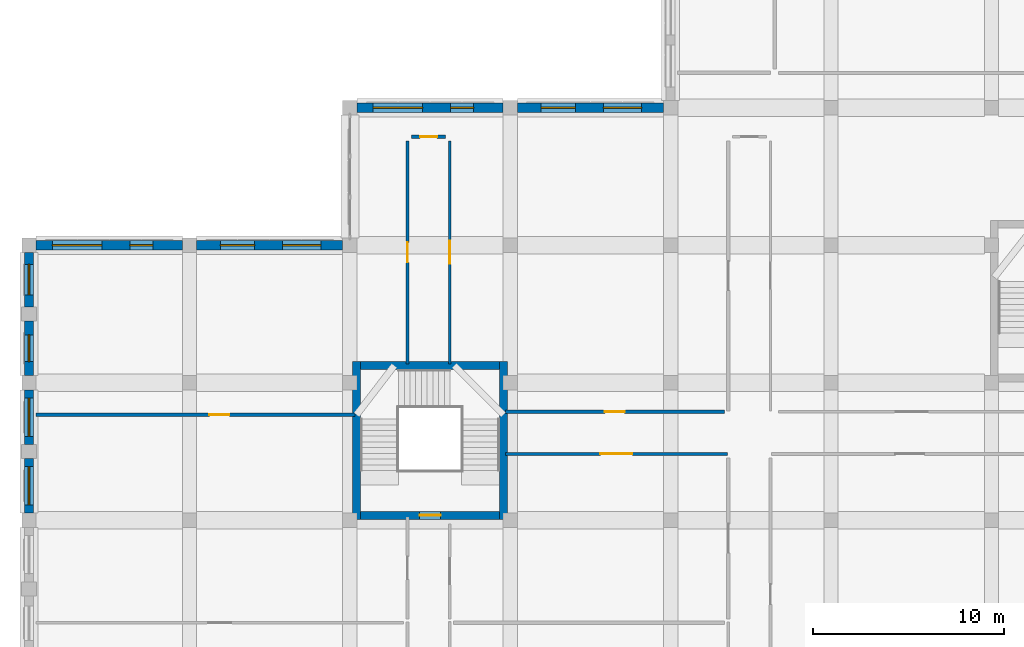
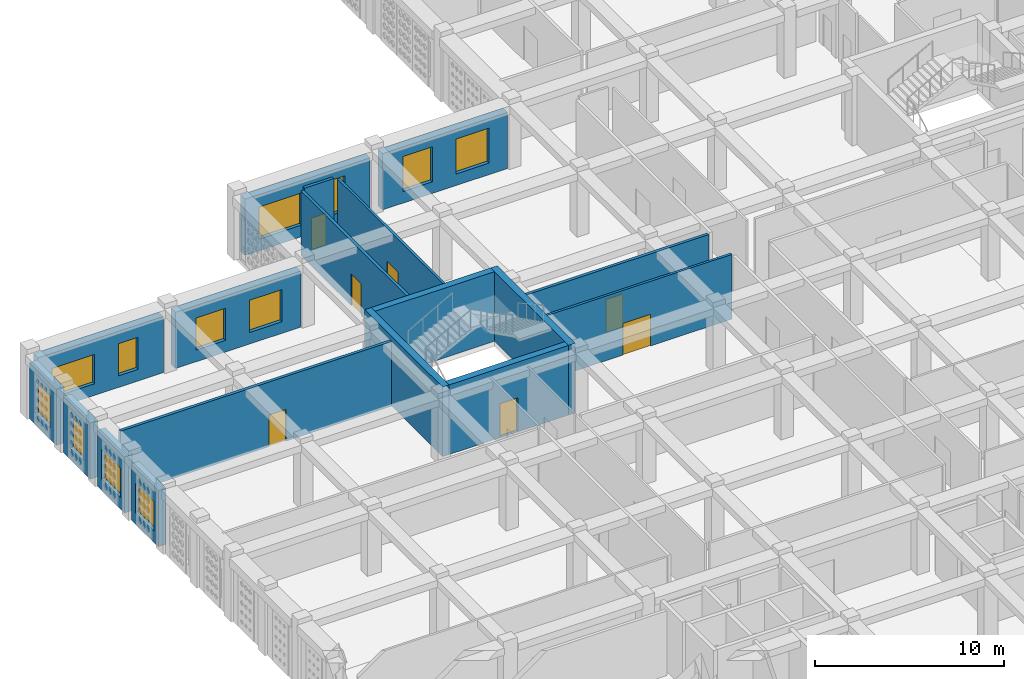
# One storey, part 80 of 121: 18 walls, 12 windows, 7 doors, 19 openings.
"""IFC4 building model written with IfcOpenShell, lengths in metres."""

from ifc_helpers import new_model, si_unit, derived_unit, direction, frame, frame_2d, origin, place, context, subcontext, project, spatial, rectangle, extrude, material, layer, layer_set, type_object, element, fill, save


model = new_model("IFC4")

# Units and contexts
model_context = context("Model", 3, precision=1e-05, world=origin(), true_north=direction((0.0, 1.0)))
body_context = subcontext(model_context, "Body", "Model", "MODEL_VIEW")
ifc_project = project(units=[si_unit("LENGTHUNIT", "METRE"), si_unit("AREAUNIT", "SQUARE_METRE"), si_unit("VOLUMEUNIT", "CUBIC_METRE"), si_unit("PLANEANGLEUNIT", "RADIAN"), si_unit("MASSUNIT", "GRAM", prefix="KILO"), derived_unit("THERMALTRANSMITTANCEUNIT", [(si_unit("POWERUNIT", "WATT"), 1), (si_unit("LENGTHUNIT", "METRE"), -2), (si_unit("THERMODYNAMICTEMPERATUREUNIT", "KELVIN"), -1)])], contexts=[model_context])

# Site, building, storey
site_placement = place(None, origin())
site = spatial("IfcSite", under=ifc_project, at=site_placement, CompositionType="ELEMENT")
building_placement = place(site_placement, origin())
building = spatial("IfcBuilding", under=site, at=building_placement, Name="Veybourne Emporium", CompositionType="ELEMENT")
storey_placement = place(building_placement, frame((0.0, 0.0, 5.39990234375)))
storey = spatial("IfcBuildingStorey", under=building, at=storey_placement, Name="L01", CompositionType="ELEMENT", Elevation=5.39990234375)

# Wall, opening, window
ifc_material_1 = material(Name="Portland Limestone Ashlar", Category="masonry")
ifc_layer_1 = layer(ifc_material_1, 0.47998046875)
ifc_layer_set_1 = layer_set([ifc_layer_1], Name="Portland Limestone Ashlar")
wall_type_1 = type_object("IfcWallType", Name="ExtWall_EW-01", PredefinedType="SOLIDWALL", material=ifc_layer_set_1)
wall_1_placement = place(storey_placement, frame((0.0, 65.175048828125, 0.0), z_axis=(0.0, 0.0, 1.0), x_axis=(0.0, 1.0, 0.0)))
wall_1 = element("IfcWall", 1, at=wall_1_placement, inside=storey, type_object=wall_type_1, Name="L01 Portland stone external wall 009A", PredefinedType="SOLIDWALL", context=body_context, shape_type="SweptSolid", body=[
    extrude(rectangle(XDim=2.85498046875, YDim=0.47998046875, at=frame_2d((1.427490234375, 0.0))), origin(), (0.0, 0.0, 1.0), 3.630126953125),
])
opening_1_placement = place(wall_1_placement, frame((0.427490234375, 0.0, 0.75)))
opening_1 = element("IfcOpeningElement", 2, at=opening_1_placement, cuts=wall_1, Name="Opening W-06", PredefinedType="OPENING", context=body_context, shape_type="SweptSolid", body=[
    extrude(rectangle(XDim=2.0, YDim=1.89990234375, at=frame_2d((1.0, 0.949951171875))), frame((0.0, 0.260009765625, 0.0), z_axis=(0.0, -1.0, 0.0), x_axis=(1.0, 0.0, 0.0)), (0.0, 0.0, 1.0), 0.52001953125),
])
ifc_material_2 = material(Name="Low-E Triple Glazing", Category="glass")
window_type_1 = type_object("IfcWindowType", Name="Win_W-06", PartitioningType="TRIPLE_PANEL_VERTICAL", PredefinedType="WINDOW", material=ifc_material_2)
window_1_placement = place(opening_1_placement, origin())
window_1 = element("IfcWindow", 3, at=window_1_placement, inside=storey, type_object=window_type_1, Name="L01 tripartite bronze casement window W-06 (9A)", OverallHeight=1.89990234375, OverallWidth=2.0, PartitioningType="TRIPLE_PANEL_VERTICAL", PredefinedType="WINDOW", context=body_context, shape_type="SweptSolid", body=[
    extrude(rectangle(XDim=2.0, YDim=1.89990234375, at=frame_2d((1.0, 0.949951171875))), frame((0.0, 0.030029296875, 0.0), z_axis=(0.0, -1.0, 0.0), x_axis=(1.0, 0.0, 0.0)), (0.0, 0.0, 1.0), 0.06005859375),
])
fill(opening_1, window_1)

wall_2_placement = place(storey_placement, frame((0.0, 68.77001953125, 0.0), z_axis=(0.0, 0.0, 1.0), x_axis=(0.0, 1.0, 0.0)))
wall_2 = element("IfcWall", 4, at=wall_2_placement, inside=storey, type_object=wall_type_1, Name="L01 Portland stone external wall 009B", PredefinedType="SOLIDWALL", context=body_context, shape_type="SweptSolid", body=[
    extrude(rectangle(XDim=2.85498046875, YDim=0.47998046875, at=frame_2d((1.427490234375, 0.0))), origin(), (0.0, 0.0, 1.0), 3.630126953125),
])
opening_2_placement = place(wall_2_placement, frame((0.427490234375, 0.0, 0.75)))
opening_2 = element("IfcOpeningElement", 5, at=opening_2_placement, cuts=wall_2, Name="Opening W-07", PredefinedType="OPENING", context=body_context, shape_type="SweptSolid", body=[
    extrude(rectangle(XDim=2.0, YDim=1.89990234375, at=frame_2d((1.0, 0.949951171875))), frame((0.0, 0.260009765625, 0.0), z_axis=(0.0, -1.0, 0.0), x_axis=(1.0, 0.0, 0.0)), (0.0, 0.0, 1.0), 0.52001953125),
])
window_type_2 = type_object("IfcWindowType", Name="Win_W-07", PartitioningType="TRIPLE_PANEL_VERTICAL", PredefinedType="WINDOW", material=ifc_material_2)
window_2_placement = place(opening_2_placement, origin())
window_2 = element("IfcWindow", 6, at=window_2_placement, inside=storey, type_object=window_type_2, Name="L01 tripartite bronze casement window W-07 (9B)", OverallHeight=1.89990234375, OverallWidth=2.0, PartitioningType="TRIPLE_PANEL_VERTICAL", PredefinedType="WINDOW", context=body_context, shape_type="SweptSolid", body=[
    extrude(rectangle(XDim=2.0, YDim=1.89990234375, at=frame_2d((1.0, 0.949951171875))), frame((0.0, 0.030029296875, 0.0), z_axis=(0.0, -1.0, 0.0), x_axis=(1.0, 0.0, 0.0)), (0.0, 0.0, 1.0), 0.06005859375),
])
fill(opening_2, window_2)

# Wall, openings, windows
wall_3_placement = place(storey_placement, frame((0.375, 79.199951171875, 0.0), z_axis=(0.0, 0.0, 1.0), x_axis=(1.0, 0.0, 0.0)))
wall_3 = element("IfcWall", 7, at=wall_3_placement, inside=storey, type_object=wall_type_1, Name="L01 Portland stone external wall 010", PredefinedType="SOLIDWALL", context=body_context, shape_type="SweptSolid", body=[
    extrude(rectangle(XDim=7.64990234375, YDim=0.47998046875, at=frame_2d((3.824951171875, 0.0))), origin(), (0.0, 0.0, 1.0), 3.630126953125),
])
opening_3_placement = place(wall_3_placement, frame((0.842041015625, 0.0, 0.75)))
opening_3 = element("IfcOpeningElement", 8, at=opening_3_placement, cuts=wall_3, Name="Opening W-08", PredefinedType="OPENING", context=body_context, shape_type="SweptSolid", body=[
    extrude(rectangle(XDim=2.60009765625, YDim=1.89990234375, at=frame_2d((1.300048828125, 0.949951171875))), frame((0.0, 0.260009765625, 0.0), z_axis=(0.0, -1.0, 0.0), x_axis=(1.0, 0.0, 0.0)), (0.0, 0.0, 1.0), 0.52001953125),
])
opening_4_placement = place(wall_3_placement, frame((4.907958984375, 0.0, 0.75)))
opening_4 = element("IfcOpeningElement", 9, at=opening_4_placement, cuts=wall_3, Name="Opening W-09", PredefinedType="OPENING", context=body_context, shape_type="SweptSolid", body=[
    extrude(rectangle(XDim=1.199951171875, YDim=2.080078125, at=frame_2d((0.60009765625, 1.0400390625))), frame((0.0, 0.260009765625, 0.0), z_axis=(0.0, -1.0, 0.0), x_axis=(1.0, 0.0, 0.0)), (0.0, 0.0, 1.0), 0.52001953125),
])
window_type_3 = type_object("IfcWindowType", Name="Win_W-08", PartitioningType="TRIPLE_PANEL_VERTICAL", PredefinedType="WINDOW", material=ifc_material_2)
window_3_placement = place(opening_3_placement, origin())
window_3 = element("IfcWindow", 10, at=window_3_placement, inside=storey, type_object=window_type_3, Name="L01 tripartite bronze casement window W-08 (10.1)", OverallHeight=1.89990234375, OverallWidth=2.60009765625, PartitioningType="TRIPLE_PANEL_VERTICAL", PredefinedType="WINDOW", context=body_context, shape_type="SweptSolid", body=[
    extrude(rectangle(XDim=2.60009765625, YDim=1.89990234375, at=frame_2d((1.300048828125, 0.949951171875))), frame((0.0, 0.030029296875, 0.0), z_axis=(0.0, -1.0, 0.0), x_axis=(1.0, 0.0, 0.0)), (0.0, 0.0, 1.0), 0.06005859375),
])
fill(opening_3, window_3)
window_type_4 = type_object("IfcWindowType", Name="Win_W-09", PartitioningType="SINGLE_PANEL", PredefinedType="WINDOW", material=ifc_material_2)
window_4_placement = place(opening_4_placement, origin())
window_4 = element("IfcWindow", 11, at=window_4_placement, inside=storey, type_object=window_type_4, Name="L01 tripartite bronze casement window W-09 (10.2)", OverallHeight=2.080078125, OverallWidth=1.199951171875, PartitioningType="SINGLE_PANEL", PredefinedType="WINDOW", context=body_context, shape_type="SweptSolid", body=[
    extrude(rectangle(XDim=1.199951171875, YDim=2.080078125, at=frame_2d((0.60009765625, 1.0400390625))), frame((0.0, 0.030029296875, 0.0), z_axis=(0.0, -1.0, 0.0), x_axis=(1.0, 0.0, 0.0)), (0.0, 0.0, 1.0), 0.06005859375),
])
fill(opening_4, window_4)

# Wall, opening, window
wall_4_placement = place(storey_placement, frame((0.0, 72.375, 0.0), z_axis=(0.0, 0.0, 1.0), x_axis=(0.0, 1.0, 0.0)))
wall_4 = element("IfcWall", 12, at=wall_4_placement, inside=storey, type_object=wall_type_1, Name="L01 Portland stone external wall 011A", PredefinedType="SOLIDWALL", context=body_context, shape_type="SweptSolid", body=[
    extrude(rectangle(XDim=2.85498046875, YDim=0.47998046875, at=frame_2d((1.427490234375, 0.0))), origin(), (0.0, 0.0, 1.0), 3.630126953125),
])
opening_5_placement = place(wall_4_placement, frame((0.7275390625, 0.0, 0.75)))
opening_5 = element("IfcOpeningElement", 13, at=opening_5_placement, cuts=wall_4, Name="Opening W-10", PredefinedType="OPENING", context=body_context, shape_type="SweptSolid", body=[
    extrude(rectangle(XDim=1.39990234375, YDim=2.080078125, at=frame_2d((0.699951171875, 1.0400390625))), frame((0.0, 0.260009765625, 0.0), z_axis=(0.0, -1.0, 0.0), x_axis=(1.0, 0.0, 0.0)), (0.0, 0.0, 1.0), 0.52001953125),
])
window_type_5 = type_object("IfcWindowType", Name="Win_W-10", PartitioningType="DOUBLE_PANEL_VERTICAL", PredefinedType="WINDOW", material=ifc_material_2)
window_5_placement = place(opening_5_placement, origin())
window_5 = element("IfcWindow", 14, at=window_5_placement, inside=storey, type_object=window_type_5, Name="L01 tripartite bronze casement window W-10 (11A)", OverallHeight=2.080078125, OverallWidth=1.39990234375, PartitioningType="DOUBLE_PANEL_VERTICAL", PredefinedType="WINDOW", context=body_context, shape_type="SweptSolid", body=[
    extrude(rectangle(XDim=1.39990234375, YDim=2.080078125, at=frame_2d((0.699951171875, 1.0400390625))), frame((0.0, 0.030029296875, 0.0), z_axis=(0.0, -1.0, 0.0), x_axis=(1.0, 0.0, 0.0)), (0.0, 0.0, 1.0), 0.06005859375),
])
fill(opening_5, window_5)

wall_5_placement = place(storey_placement, frame((0.0, 75.969970703125, 0.0), z_axis=(0.0, 0.0, 1.0), x_axis=(0.0, 1.0, 0.0)))
wall_5 = element("IfcWall", 15, at=wall_5_placement, inside=storey, type_object=wall_type_1, Name="L01 Portland stone external wall 011B", PredefinedType="SOLIDWALL", context=body_context, shape_type="SweptSolid", body=[
    extrude(rectangle(XDim=2.85498046875, YDim=0.47998046875, at=frame_2d((1.427490234375, 0.0))), origin(), (0.0, 0.0, 1.0), 3.630126953125),
])
opening_6_placement = place(wall_5_placement, frame((0.62744140625, 0.0, 0.75)))
opening_6 = element("IfcOpeningElement", 16, at=opening_6_placement, cuts=wall_5, Name="Opening W-11", PredefinedType="OPENING", context=body_context, shape_type="SweptSolid", body=[
    extrude(rectangle(XDim=1.60009765625, YDim=2.080078125, at=frame_2d((0.800048828125, 1.0400390625))), frame((0.0, 0.260009765625, 0.0), z_axis=(0.0, -1.0, 0.0), x_axis=(1.0, 0.0, 0.0)), (0.0, 0.0, 1.0), 0.52001953125),
])
window_type_6 = type_object("IfcWindowType", Name="Win_W-11", PartitioningType="DOUBLE_PANEL_VERTICAL", PredefinedType="WINDOW", material=ifc_material_2)
window_6_placement = place(opening_6_placement, origin())
window_6 = element("IfcWindow", 17, at=window_6_placement, inside=storey, type_object=window_type_6, Name="L01 tripartite bronze casement window W-11 (11B)", OverallHeight=2.080078125, OverallWidth=1.60009765625, PartitioningType="DOUBLE_PANEL_VERTICAL", PredefinedType="WINDOW", context=body_context, shape_type="SweptSolid", body=[
    extrude(rectangle(XDim=1.60009765625, YDim=2.080078125, at=frame_2d((0.800048828125, 1.0400390625))), frame((0.0, 0.030029296875, 0.0), z_axis=(0.0, -1.0, 0.0), x_axis=(1.0, 0.0, 0.0)), (0.0, 0.0, 1.0), 0.06005859375),
])
fill(opening_6, window_6)

# Wall, openings, windows
wall_6_placement = place(storey_placement, frame((8.77490234375, 79.199951171875, 0.0), z_axis=(0.0, 0.0, 1.0), x_axis=(1.0, 0.0, 0.0)))
wall_6 = element("IfcWall", 18, at=wall_6_placement, inside=storey, type_object=wall_type_1, Name="L01 Portland stone external wall 013", PredefinedType="SOLIDWALL", context=body_context, shape_type="SweptSolid", body=[
    extrude(rectangle(XDim=7.650146484375, YDim=0.47998046875, at=frame_2d((3.8251953125, 0.0))), origin(), (0.0, 0.0, 1.0), 3.630126953125),
])
opening_7_placement = place(wall_6_placement, frame((1.241943359375, 0.0, 0.75)))
opening_7 = element("IfcOpeningElement", 19, at=opening_7_placement, cuts=wall_6, Name="Opening W-12", PredefinedType="OPENING", context=body_context, shape_type="SweptSolid", body=[
    extrude(rectangle(XDim=1.800048828125, YDim=2.080078125, at=frame_2d((0.89990234375, 1.0400390625))), frame((0.0, 0.260009765625, 0.0), z_axis=(0.0, -1.0, 0.0), x_axis=(1.0, 0.0, 0.0)), (0.0, 0.0, 1.0), 0.52001953125),
])
opening_8_placement = place(wall_6_placement, frame((4.508056640625, 0.0, 0.75)))
opening_8 = element("IfcOpeningElement", 20, at=opening_8_placement, cuts=wall_6, Name="Opening W-13", PredefinedType="OPENING", context=body_context, shape_type="SweptSolid", body=[
    extrude(rectangle(XDim=2.0, YDim=2.080078125, at=frame_2d((1.0, 1.0400390625))), frame((0.0, 0.260009765625, 0.0), z_axis=(0.0, -1.0, 0.0), x_axis=(1.0, 0.0, 0.0)), (0.0, 0.0, 1.0), 0.52001953125),
])
window_type_7 = type_object("IfcWindowType", Name="Win_W-12", PartitioningType="DOUBLE_PANEL_VERTICAL", PredefinedType="WINDOW", material=ifc_material_2)
window_7_placement = place(opening_7_placement, origin())
window_7 = element("IfcWindow", 21, at=window_7_placement, inside=storey, type_object=window_type_7, Name="L01 tripartite bronze casement window W-12 (13.1)", OverallHeight=2.080078125, OverallWidth=1.800048828125, PartitioningType="DOUBLE_PANEL_VERTICAL", PredefinedType="WINDOW", context=body_context, shape_type="SweptSolid", body=[
    extrude(rectangle(XDim=1.800048828125, YDim=2.080078125, at=frame_2d((0.89990234375, 1.0400390625))), frame((0.0, 0.030029296875, 0.0), z_axis=(0.0, -1.0, 0.0), x_axis=(1.0, 0.0, 0.0)), (0.0, 0.0, 1.0), 0.06005859375),
])
fill(opening_7, window_7)
window_type_8 = type_object("IfcWindowType", Name="Win_W-13", PartitioningType="TRIPLE_PANEL_VERTICAL", PredefinedType="WINDOW", material=ifc_material_2)
window_8_placement = place(opening_8_placement, origin())
window_8 = element("IfcWindow", 22, at=window_8_placement, inside=storey, type_object=window_type_8, Name="L01 tripartite bronze casement window W-13 (13.2)", OverallHeight=2.080078125, OverallWidth=2.0, PartitioningType="TRIPLE_PANEL_VERTICAL", PredefinedType="WINDOW", context=body_context, shape_type="SweptSolid", body=[
    extrude(rectangle(XDim=2.0, YDim=2.080078125, at=frame_2d((1.0, 1.0400390625))), frame((0.0, 0.030029296875, 0.0), z_axis=(0.0, -1.0, 0.0), x_axis=(1.0, 0.0, 0.0)), (0.0, 0.0, 1.0), 0.06005859375),
])
fill(opening_8, window_8)

wall_7_placement = place(storey_placement, frame((17.175048828125, 86.39990234375, 0.0), z_axis=(0.0, 0.0, 1.0), x_axis=(1.0, 0.0, 0.0)))
wall_7 = element("IfcWall", 23, at=wall_7_placement, inside=storey, type_object=wall_type_1, Name="L01 Portland stone external wall 017", PredefinedType="SOLIDWALL", context=body_context, shape_type="SweptSolid", body=[
    extrude(rectangle(XDim=7.64990234375, YDim=0.47998046875, at=frame_2d((3.824951171875, 0.0))), origin(), (0.0, 0.0, 1.0), 3.630126953125),
])
opening_9_placement = place(wall_7_placement, frame((0.842041015625, 0.0, 0.75)))
opening_9 = element("IfcOpeningElement", 24, at=opening_9_placement, cuts=wall_7, Name="Opening W-16", PredefinedType="OPENING", context=body_context, shape_type="SweptSolid", body=[
    extrude(rectangle(XDim=2.60009765625, YDim=2.080078125, at=frame_2d((1.300048828125, 1.0400390625))), frame((0.0, 0.260009765625, 0.0), z_axis=(0.0, -1.0, 0.0), x_axis=(1.0, 0.0, 0.0)), (0.0, 0.0, 1.0), 0.52001953125),
])
opening_10_placement = place(wall_7_placement, frame((4.907958984375, 0.0, 0.75)))
opening_10 = element("IfcOpeningElement", 25, at=opening_10_placement, cuts=wall_7, Name="Opening W-17", PredefinedType="OPENING", context=body_context, shape_type="SweptSolid", body=[
    extrude(rectangle(XDim=1.199951171875, YDim=2.260009765625, at=frame_2d((0.60009765625, 1.1298828125))), frame((0.0, 0.260009765625, 0.0), z_axis=(0.0, -1.0, 0.0), x_axis=(1.0, 0.0, 0.0)), (0.0, 0.0, 1.0), 0.52001953125),
])
window_type_9 = type_object("IfcWindowType", Name="Win_W-16", PartitioningType="TRIPLE_PANEL_VERTICAL", PredefinedType="WINDOW", material=ifc_material_2)
window_9_placement = place(opening_9_placement, origin())
window_9 = element("IfcWindow", 26, at=window_9_placement, inside=storey, type_object=window_type_9, Name="L01 tripartite bronze casement window W-16 (17.1)", OverallHeight=2.080078125, OverallWidth=2.60009765625, PartitioningType="TRIPLE_PANEL_VERTICAL", PredefinedType="WINDOW", context=body_context, shape_type="SweptSolid", body=[
    extrude(rectangle(XDim=2.60009765625, YDim=2.080078125, at=frame_2d((1.300048828125, 1.0400390625))), frame((0.0, 0.030029296875, 0.0), z_axis=(0.0, -1.0, 0.0), x_axis=(1.0, 0.0, 0.0)), (0.0, 0.0, 1.0), 0.06005859375),
])
fill(opening_9, window_9)
window_type_10 = type_object("IfcWindowType", Name="Win_W-17", PartitioningType="SINGLE_PANEL", PredefinedType="WINDOW", material=ifc_material_2)
window_10_placement = place(opening_10_placement, origin())
window_10 = element("IfcWindow", 27, at=window_10_placement, inside=storey, type_object=window_type_10, Name="L01 tripartite bronze casement window W-17 (17.2)", OverallHeight=2.260009765625, OverallWidth=1.199951171875, PartitioningType="SINGLE_PANEL", PredefinedType="WINDOW", context=body_context, shape_type="SweptSolid", body=[
    extrude(rectangle(XDim=1.199951171875, YDim=2.260009765625, at=frame_2d((0.60009765625, 1.1298828125))), frame((0.0, 0.030029296875, 0.0), z_axis=(0.0, -1.0, 0.0), x_axis=(1.0, 0.0, 0.0)), (0.0, 0.0, 1.0), 0.06005859375),
])
fill(opening_10, window_10)

wall_8_placement = place(storey_placement, frame((25.574951171875, 86.39990234375, 0.0), z_axis=(0.0, 0.0, 1.0), x_axis=(1.0, 0.0, 0.0)))
wall_8 = element("IfcWall", 28, at=wall_8_placement, inside=storey, type_object=wall_type_1, Name="L01 Portland stone external wall 020", PredefinedType="SOLIDWALL", context=body_context, shape_type="SweptSolid", body=[
    extrude(rectangle(XDim=7.650146484375, YDim=0.47998046875, at=frame_2d((3.8251953125, 0.0))), origin(), (0.0, 0.0, 1.0), 3.630126953125),
])
opening_11_placement = place(wall_8_placement, frame((1.241943359375, 0.0, 0.75)))
opening_11 = element("IfcOpeningElement", 29, at=opening_11_placement, cuts=wall_8, Name="Opening W-20", PredefinedType="OPENING", context=body_context, shape_type="SweptSolid", body=[
    extrude(rectangle(XDim=1.800048828125, YDim=2.260009765625, at=frame_2d((0.89990234375, 1.1298828125))), frame((0.0, 0.260009765625, 0.0), z_axis=(0.0, -1.0, 0.0), x_axis=(1.0, 0.0, 0.0)), (0.0, 0.0, 1.0), 0.52001953125),
])
opening_12_placement = place(wall_8_placement, frame((4.508056640625, 0.0, 0.75)))
opening_12 = element("IfcOpeningElement", 30, at=opening_12_placement, cuts=wall_8, Name="Opening W-21", PredefinedType="OPENING", context=body_context, shape_type="SweptSolid", body=[
    extrude(rectangle(XDim=2.0, YDim=2.260009765625, at=frame_2d((1.0, 1.1298828125))), frame((0.0, 0.260009765625, 0.0), z_axis=(0.0, -1.0, 0.0), x_axis=(1.0, 0.0, 0.0)), (0.0, 0.0, 1.0), 0.52001953125),
])
window_type_11 = type_object("IfcWindowType", Name="Win_W-20", PartitioningType="DOUBLE_PANEL_VERTICAL", PredefinedType="WINDOW", material=ifc_material_2)
window_11_placement = place(opening_11_placement, origin())
window_11 = element("IfcWindow", 31, at=window_11_placement, inside=storey, type_object=window_type_11, Name="L01 tripartite bronze casement window W-20 (20.1)", OverallHeight=2.260009765625, OverallWidth=1.800048828125, PartitioningType="DOUBLE_PANEL_VERTICAL", PredefinedType="WINDOW", context=body_context, shape_type="SweptSolid", body=[
    extrude(rectangle(XDim=1.800048828125, YDim=2.260009765625, at=frame_2d((0.89990234375, 1.1298828125))), frame((0.0, 0.030029296875, 0.0), z_axis=(0.0, -1.0, 0.0), x_axis=(1.0, 0.0, 0.0)), (0.0, 0.0, 1.0), 0.06005859375),
])
fill(opening_11, window_11)
window_type_12 = type_object("IfcWindowType", Name="Win_W-21", PartitioningType="TRIPLE_PANEL_VERTICAL", PredefinedType="WINDOW", material=ifc_material_2)
window_12_placement = place(opening_12_placement, origin())
window_12 = element("IfcWindow", 32, at=window_12_placement, inside=storey, type_object=window_type_12, Name="L01 tripartite bronze casement window W-21 (20.2)", OverallHeight=2.260009765625, OverallWidth=2.0, PartitioningType="TRIPLE_PANEL_VERTICAL", PredefinedType="WINDOW", context=body_context, shape_type="SweptSolid", body=[
    extrude(rectangle(XDim=2.0, YDim=2.260009765625, at=frame_2d((1.0, 1.1298828125))), frame((0.0, 0.030029296875, 0.0), z_axis=(0.0, -1.0, 0.0), x_axis=(1.0, 0.0, 0.0)), (0.0, 0.0, 1.0), 0.06005859375),
])
fill(opening_12, window_12)

# Wall, opening, door
ifc_material_3 = material(Name="Concrete C40/50", Category="concrete")
ifc_layer_2 = layer(ifc_material_3, 0.39990234375)
ifc_layer_set_2 = layer_set([ifc_layer_2], Name="Concrete C40/50")
wall_type_2 = type_object("IfcWallType", Name="IntWall_CW-01", PredefinedType="SHEAR", material=ifc_layer_set_2)
wall_9_placement = place(storey_placement, frame((24.64990234375, 65.050048828125, 0.0), z_axis=(0.0, 0.0, 1.0), x_axis=(-1.0, 0.0, 0.0)))
wall_9 = element("IfcWall", 33, at=wall_9_placement, inside=storey, type_object=wall_type_2, Name="Core stair ST-08 south shear wall (L01)", PredefinedType="SHEAR", context=body_context, shape_type="SweptSolid", body=[
    extrude(rectangle(XDim=7.2998046875, YDim=0.39990234375, at=frame_2d((3.64990234375, 0.0))), origin(), (0.0, 0.0, 1.0), 4.5),
])
opening_13_placement = place(wall_9_placement, frame((3.10009765625, 0.0, 0.0)))
opening_13 = element("IfcOpeningElement", 34, at=opening_13_placement, cuts=wall_9, Name="Opening FD-01", PredefinedType="OPENING", context=body_context, shape_type="SweptSolid", body=[
    extrude(rectangle(XDim=1.10009765625, YDim=2.199951171875, at=frame_2d((0.550048828125, 1.10009765625))), frame((0.0, 0.219970703125, 0.0), z_axis=(0.0, -1.0, 0.0), x_axis=(1.0, 0.0, 0.0)), (0.0, 0.0, 1.0), 0.43994140625),
])
ifc_material_4 = material(Name="Patinated Architectural Bronze", Category="bronze")
door_type_1 = type_object("IfcDoorType", Name="FireDoor_FD-01", OperationType="NOTDEFINED", PredefinedType="DOOR", material=ifc_material_4)
door_1_placement = place(opening_13_placement, origin())
door_1 = element("IfcDoor", 35, at=door_1_placement, inside=storey, type_object=door_type_1, Name="Stair ST-08 fire door (L01)", OperationType="SINGLE_SWING_RIGHT", OverallHeight=2.199951171875, OverallWidth=1.10009765625, PredefinedType="DOOR", context=body_context, shape_type="SweptSolid", body=[
    extrude(rectangle(XDim=1.10009765625, YDim=2.199951171875, at=frame_2d((0.550048828125, 1.10009765625))), frame((0.0, 0.02490234375, 0.0), z_axis=(0.0, -1.0, 0.0), x_axis=(1.0, 0.0, 0.0)), (0.0, 0.0, 1.0), 0.050048828125),
])
fill(opening_13, door_1)

# Walls
wall_10_placement = place(storey_placement, frame((17.35009765625, 72.89990234375, 0.0), z_axis=(0.0, 0.0, 1.0), x_axis=(1.0, 0.0, 0.0)))
element("IfcWall", 36, at=wall_10_placement, inside=storey, type_object=wall_type_2, Name="Core stair ST-08 north shear wall (L01)", PredefinedType="SHEAR", context=body_context, shape_type="SweptSolid", body=[
    extrude(rectangle(XDim=7.2998046875, YDim=0.39990234375, at=frame_2d((3.64990234375, 0.0))), origin(), (0.0, 0.0, 1.0), 4.5),
])
for number, where, z_axis, x_axis, name in (
    (37, (17.14990234375, 73.10009765625, 0.0), (0.0, 0.0, 1.0), (0.0, -1.0, 0.0), "Core stair ST-08 west shear wall (L01)"),
    (38, (24.85009765625, 64.85009765625, 0.0), (0.0, 0.0, 1.0), (0.0, 1.0, 0.0), "Core stair ST-08 east shear wall (L01)"),
):
    element("IfcWall", number, at=place(storey_placement, frame(where, z_axis=z_axis, x_axis=x_axis)), inside=storey, type_object=wall_type_2, Name=name, PredefinedType="SHEAR", context=body_context, shape_type="SweptSolid", body=[
        extrude(rectangle(XDim=8.25, YDim=0.39990234375, at=frame_2d((4.125, 0.0))), origin(), (0.0, 0.0, 1.0), 4.5),
    ])

# Wall, opening, door
ifc_material_5 = material(Name="Gypsum Acoustic Board", Category="gypsum")
ifc_layer_3 = layer(ifc_material_5, 0.179931640625)
ifc_layer_set_3 = layer_set([ifc_layer_3], Name="Gypsum Acoustic Board")
wall_type_3 = type_object("IfcWallType", Name="IntWall_IW-01", PredefinedType="PARTITIONING", material=ifc_layer_set_3)
wall_11_placement = place(storey_placement, frame((0.3701171875, 70.330078125, 0.0), z_axis=(0.0, 0.0, 1.0), x_axis=(1.0, 0.0, 0.0)))
wall_11 = element("IfcWall", 39, at=wall_11_placement, inside=storey, type_object=wall_type_3, Name="L01 interior partition IW-01 #013", PredefinedType="PARTITIONING", context=body_context, shape_type="SweptSolid", body=[
    extrude(rectangle(XDim=16.68994140625, YDim=0.179931640625, at=frame_2d((8.344970703125, 0.0))), origin(), (0.0, 0.0, 1.0), 4.18017578125),
])
opening_14_placement = place(wall_11_placement, frame((9.076904296875, 0.0, 0.0)))
opening_14 = element("IfcOpeningElement", 40, at=opening_14_placement, cuts=wall_11, Name="Opening D-02", PredefinedType="OPENING", context=body_context, shape_type="SweptSolid", body=[
    extrude(rectangle(XDim=1.0400390625, YDim=2.050048828125, at=frame_2d((0.52001953125, 1.02490234375))), frame((0.0, 0.10986328125, 0.0), z_axis=(0.0, -1.0, 0.0), x_axis=(1.0, 0.0, 0.0)), (0.0, 0.0, 1.0), 0.219970703125),
])
ifc_material_6 = material(Name="European Oak Veneer and Bronze", Category="wood")
door_type_2 = type_object("IfcDoorType", Name="IntDoor_D-02", OperationType="NOTDEFINED", PredefinedType="DOOR", material=ifc_material_6)
door_2_placement = place(opening_14_placement, origin())
door_2 = element("IfcDoor", 41, at=door_2_placement, inside=storey, type_object=door_type_2, Name="L01 interior door D-02 (PART-L01-013)", OperationType="SINGLE_SWING_LEFT", OverallHeight=2.050048828125, OverallWidth=1.0400390625, PredefinedType="DOOR", context=body_context, shape_type="SweptSolid", body=[
    extrude(rectangle(XDim=1.0400390625, YDim=2.050048828125, at=frame_2d((0.52001953125, 1.02490234375))), frame((0.0, 0.02490234375, 0.0), z_axis=(0.0, -1.0, 0.0), x_axis=(1.0, 0.0, 0.0)), (0.0, 0.0, 1.0), 0.050048828125),
])
fill(opening_14, door_2)

wall_12_placement = place(storey_placement, frame((19.820068359375, 72.989990234375, 0.0), z_axis=(0.0, 0.0, 1.0), x_axis=(0.0, 1.0, 0.0)))
wall_12 = element("IfcWall", 42, at=wall_12_placement, inside=storey, type_object=wall_type_3, Name="L01 interior partition IW-01 #049", PredefinedType="PARTITIONING", context=body_context, shape_type="SweptSolid", body=[
    extrude(rectangle(XDim=11.679931640625, YDim=0.179931640625, at=frame_2d((5.83984375, 0.0))), origin(), (0.0, 0.0, 1.0), 4.18017578125),
])
opening_15_placement = place(wall_12_placement, frame((5.320068359375, 0.0, 0.0)))
opening_15 = element("IfcOpeningElement", 43, at=opening_15_placement, cuts=wall_12, Name="Opening D-02", PredefinedType="OPENING", context=body_context, shape_type="SweptSolid", body=[
    extrude(rectangle(XDim=1.0400390625, YDim=2.050048828125, at=frame_2d((0.52001953125, 1.02490234375))), frame((0.0, 0.10986328125, 0.0), z_axis=(0.0, -1.0, 0.0), x_axis=(1.0, 0.0, 0.0)), (0.0, 0.0, 1.0), 0.219970703125),
])
door_3_placement = place(opening_15_placement, origin())
door_3 = element("IfcDoor", 44, at=door_3_placement, inside=storey, type_object=door_type_2, Name="L01 interior door D-02 (PART-L01-049)", OperationType="SINGLE_SWING_LEFT", OverallHeight=2.050048828125, OverallWidth=1.0400390625, PredefinedType="DOOR", context=body_context, shape_type="SweptSolid", body=[
    extrude(rectangle(XDim=1.0400390625, YDim=2.050048828125, at=frame_2d((0.52001953125, 1.02490234375))), frame((0.0, 0.02490234375, 0.0), z_axis=(0.0, -1.0, 0.0), x_axis=(1.0, 0.0, 0.0)), (0.0, 0.0, 1.0), 0.050048828125),
])
fill(opening_15, door_3)

wall_13_placement = place(storey_placement, frame((24.93994140625, 70.47998046875, 0.0), z_axis=(0.0, 0.0, 1.0), x_axis=(1.0, 0.0, 0.0)))
wall_13 = element("IfcWall", 45, at=wall_13_placement, inside=storey, type_object=wall_type_3, Name="L01 interior partition IW-01 #055", PredefinedType="PARTITIONING", context=body_context, shape_type="SweptSolid", body=[
    extrude(rectangle(XDim=11.469970703125, YDim=0.179931640625, at=frame_2d((5.73486328125, 0.0))), origin(), (0.0, 0.0, 1.0), 4.18017578125),
])
opening_16_placement = place(wall_13_placement, frame((5.215087890625, 0.0, 0.0)))
opening_16 = element("IfcOpeningElement", 46, at=opening_16_placement, cuts=wall_13, Name="Opening D-08", PredefinedType="OPENING", context=body_context, shape_type="SweptSolid", body=[
    extrude(rectangle(XDim=1.0400390625, YDim=2.1298828125, at=frame_2d((0.52001953125, 1.06494140625))), frame((0.0, 0.10986328125, 0.0), z_axis=(0.0, -1.0, 0.0), x_axis=(1.0, 0.0, 0.0)), (0.0, 0.0, 1.0), 0.219970703125),
])
door_type_3 = type_object("IfcDoorType", Name="IntDoor_D-08", OperationType="NOTDEFINED", PredefinedType="DOOR", material=ifc_material_6)
door_4_placement = place(opening_16_placement, origin())
door_4 = element("IfcDoor", 47, at=door_4_placement, inside=storey, type_object=door_type_3, Name="L01 interior door D-08 (PART-L01-055)", OperationType="SINGLE_SWING_RIGHT", OverallHeight=2.1298828125, OverallWidth=1.0400390625, PredefinedType="DOOR", context=body_context, shape_type="SweptSolid", body=[
    extrude(rectangle(XDim=1.0400390625, YDim=2.1298828125, at=frame_2d((0.52001953125, 1.06494140625))), frame((0.0, 0.02490234375, 0.0), z_axis=(0.0, -1.0, 0.0), x_axis=(1.0, 0.0, 0.0)), (0.0, 0.0, 1.0), 0.050048828125),
])
fill(opening_16, door_4)

wall_14_placement = place(storey_placement, frame((20.030029296875, 84.8798828125, 0.0), z_axis=(0.0, 0.0, 1.0), x_axis=(1.0, 0.0, 0.0)))
wall_14 = element("IfcWall", 48, at=wall_14_placement, inside=storey, type_object=wall_type_3, Name="L01 interior partition IW-01 #154", PredefinedType="PARTITIONING", context=body_context, shape_type="SweptSolid", body=[
    extrude(rectangle(XDim=1.7900390625, YDim=0.179931640625, at=frame_2d((0.89501953125, 0.0))), origin(), (0.0, 0.0, 1.0), 4.18017578125),
])
opening_17_placement = place(wall_14_placement, frame((0.455078125, 0.0, 0.0)))
opening_17 = element("IfcOpeningElement", 49, at=opening_17_placement, cuts=wall_14, Name="Opening D-01", PredefinedType="OPENING", context=body_context, shape_type="SweptSolid", body=[
    extrude(rectangle(XDim=0.8798828125, YDim=2.050048828125, at=frame_2d((0.43994140625, 1.02490234375))), frame((0.0, 0.10986328125, 0.0), z_axis=(0.0, -1.0, 0.0), x_axis=(1.0, 0.0, 0.0)), (0.0, 0.0, 1.0), 0.219970703125),
])
door_type_4 = type_object("IfcDoorType", Name="IntDoor_D-01", OperationType="NOTDEFINED", PredefinedType="DOOR", material=ifc_material_6)
door_5_placement = place(opening_17_placement, origin())
door_5 = element("IfcDoor", 50, at=door_5_placement, inside=storey, type_object=door_type_4, Name="L01 interior door D-01 (PART-L01-154)", OperationType="SINGLE_SWING_LEFT", OverallHeight=2.050048828125, OverallWidth=0.8798828125, PredefinedType="DOOR", context=body_context, shape_type="SweptSolid", body=[
    extrude(rectangle(XDim=0.8798828125, YDim=2.050048828125, at=frame_2d((0.43994140625, 1.02490234375))), frame((0.0, 0.02490234375, 0.0), z_axis=(0.0, -1.0, 0.0), x_axis=(1.0, 0.0, 0.0)), (0.0, 0.0, 1.0), 0.050048828125),
])
fill(opening_17, door_5)

ifc_layer_4 = layer(ifc_material_5, 0.14990234375)
ifc_layer_set_4 = layer_set([ifc_layer_4], Name="Gypsum Acoustic Board")
wall_type_4 = type_object("IfcWallType", Name="IntWall_IW-02", PredefinedType="PARTITIONING", material=ifc_layer_set_4)
wall_15_placement = place(storey_placement, frame((22.030029296875, 72.989990234375, 0.0), z_axis=(0.0, 0.0, 1.0), x_axis=(0.0, 1.0, 0.0)))
wall_15 = element("IfcWall", 51, at=wall_15_placement, inside=storey, type_object=wall_type_4, Name="L01 interior partition IW-02 #050", PredefinedType="PARTITIONING", context=body_context, shape_type="SweptSolid", body=[
    extrude(rectangle(XDim=11.679931640625, YDim=0.14990234375, at=frame_2d((5.83984375, 0.0))), origin(), (0.0, 0.0, 1.0), 4.18017578125),
])
opening_18_placement = place(wall_15_placement, frame((5.239990234375, 0.0, 0.0)))
opening_18 = element("IfcOpeningElement", 52, at=opening_18_placement, cuts=wall_15, Name="Opening D-03", PredefinedType="OPENING", context=body_context, shape_type="SweptSolid", body=[
    extrude(rectangle(XDim=1.199951171875, YDim=2.050048828125, at=frame_2d((0.60009765625, 1.02490234375))), frame((0.0, 0.094970703125, 0.0), z_axis=(0.0, -1.0, 0.0), x_axis=(1.0, 0.0, 0.0)), (0.0, 0.0, 1.0), 0.18994140625),
])
door_type_5 = type_object("IfcDoorType", Name="IntDoor_D-03", OperationType="NOTDEFINED", PredefinedType="DOOR", material=ifc_material_6)
door_6_placement = place(opening_18_placement, origin())
door_6 = element("IfcDoor", 53, at=door_6_placement, inside=storey, type_object=door_type_5, Name="L01 interior door D-03 (PART-L01-050)", OperationType="SINGLE_SWING_RIGHT", OverallHeight=2.050048828125, OverallWidth=1.199951171875, PredefinedType="DOOR", context=body_context, shape_type="SweptSolid", body=[
    extrude(rectangle(XDim=1.199951171875, YDim=2.050048828125, at=frame_2d((0.60009765625, 1.02490234375))), frame((0.0, 0.02490234375, 0.0), z_axis=(0.0, -1.0, 0.0), x_axis=(1.0, 0.0, 0.0)), (0.0, 0.0, 1.0), 0.050048828125),
])
fill(opening_18, door_6)

wall_16_placement = place(storey_placement, frame((24.93994140625, 68.27001953125, 0.0), z_axis=(0.0, 0.0, 1.0), x_axis=(1.0, 0.0, 0.0)))
wall_16 = element("IfcWall", 54, at=wall_16_placement, inside=storey, type_object=wall_type_4, Name="L01 interior partition IW-02 #053", PredefinedType="PARTITIONING", context=body_context, shape_type="SweptSolid", body=[
    extrude(rectangle(XDim=11.630126953125, YDim=0.14990234375, at=frame_2d((5.81494140625, 0.0))), origin(), (0.0, 0.0, 1.0), 4.18017578125),
])
opening_19_placement = place(wall_16_placement, frame((4.97509765625, 0.0, 0.0)))
opening_19 = element("IfcOpeningElement", 55, at=opening_19_placement, cuts=wall_16, Name="Opening D-06", PredefinedType="OPENING", context=body_context, shape_type="SweptSolid", body=[
    extrude(rectangle(XDim=1.679931640625, YDim=2.050048828125, at=frame_2d((0.83984375, 1.02490234375))), frame((0.0, 0.094970703125, 0.0), z_axis=(0.0, -1.0, 0.0), x_axis=(1.0, 0.0, 0.0)), (0.0, 0.0, 1.0), 0.18994140625),
])
door_type_6 = type_object("IfcDoorType", Name="IntDoor_D-06", OperationType="DOUBLE_DOOR_SINGLE_SWING", PredefinedType="DOOR", material=ifc_material_6)
door_7_placement = place(opening_19_placement, origin())
door_7 = element("IfcDoor", 56, at=door_7_placement, inside=storey, type_object=door_type_6, Name="L01 interior door D-06 (PART-L01-053)", OperationType="DOUBLE_DOOR_SINGLE_SWING", OverallHeight=2.050048828125, OverallWidth=1.679931640625, PredefinedType="DOOR", context=body_context, shape_type="SweptSolid", body=[
    extrude(rectangle(XDim=1.679931640625, YDim=2.050048828125, at=frame_2d((0.83984375, 1.02490234375))), frame((0.0, 0.02490234375, 0.0), z_axis=(0.0, -1.0, 0.0), x_axis=(1.0, 0.0, 0.0)), (0.0, 0.0, 1.0), 0.050048828125),
])
fill(opening_19, door_7)

save(model, "model.ifc")
